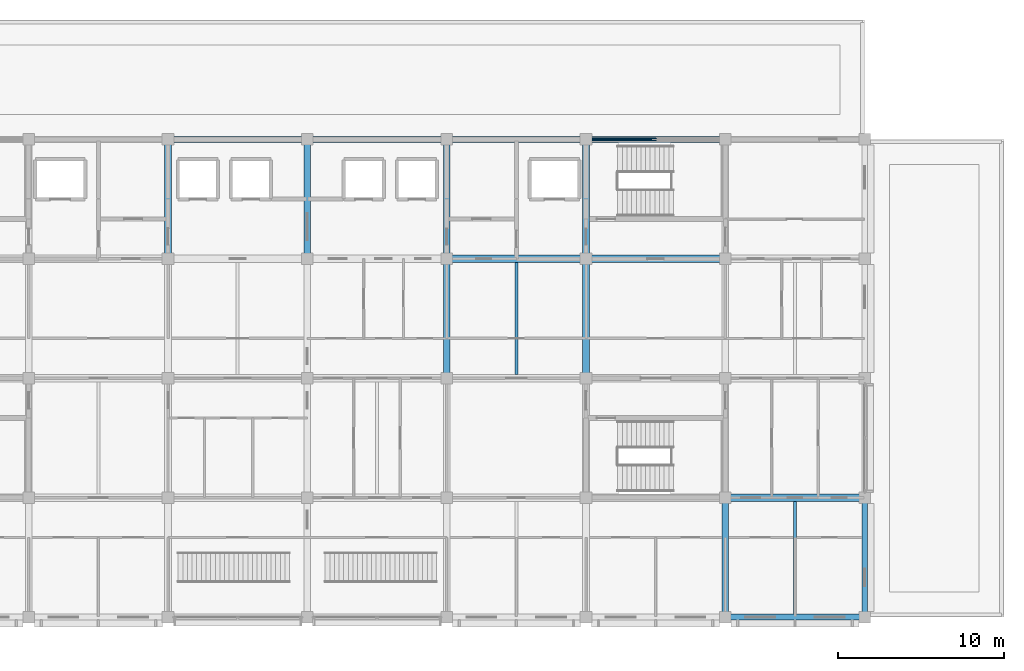
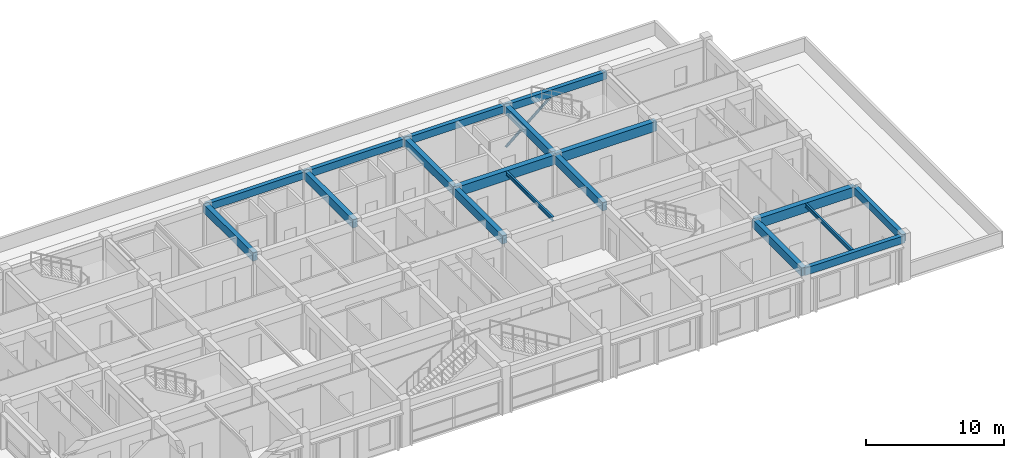
# One storey, part 4 of 19: 18 beams, 1 member.
"""IFC4 building model written with IfcOpenShell, lengths in metres."""

from ifc_helpers import new_model, si_unit, direction, frame, origin, origin_2d, place, context, subcontext, project, spatial, rectangle, hollow_circle, i_section, extrude, material, material_profile, profile_set, type_object, element, save


model = new_model("IFC4")

# Units and contexts
model_context = context("Model", 3, precision=1e-05, world=origin(), true_north=direction((0.0, 1.0)))
body_context = subcontext(model_context, "Body", "Model", "MODEL_VIEW")
ifc_project = project(units=[si_unit("LENGTHUNIT", "METRE"), si_unit("AREAUNIT", "SQUARE_METRE"), si_unit("VOLUMEUNIT", "CUBIC_METRE"), si_unit("PLANEANGLEUNIT", "RADIAN"), si_unit("MASSUNIT", "GRAM", prefix="KILO")], contexts=[model_context])

# Site, building, storey
site_placement = place(None, origin())
site = spatial("IfcSite", under=ifc_project, at=site_placement, CompositionType="ELEMENT")
building_placement = place(site_placement, origin())
building = spatial("IfcBuilding", under=site, at=building_placement, Name="Chengyuan Square Courthouse", CompositionType="ELEMENT")
storey_placement = place(building_placement, frame((0.0, 0.0, 47.699951171875)))
storey = spatial("IfcBuildingStorey", under=building, at=storey_placement, Name="L11", CompositionType="ELEMENT", Elevation=47.699951171875)

# Beams
ifc_material_1 = material(Name="Concrete C40", Category="concrete")
ifc_material_profile_1 = material_profile(ifc_material_1, rectangle(XDim=0.449951171875, YDim=0.85009765625, at=origin_2d()), Name="RC-BM-450x850")
ifc_profile_set_1 = profile_set([ifc_material_profile_1], Name="Concrete C40")
beam_type_1 = type_object("IfcBeamType", Name="BM-01", PredefinedType="USERDEFINED", material=ifc_profile_set_1)
for number, where, z_axis, x_axis, name in (
    (1, (109.199951171875, 86.39990234375, 3.53515625), (1.0, 0.0, 0.0), (0.0, 1.0, 0.0), "Girder BM-L11-4173"),
    (2, (92.39990234375, 100.800048828125, 3.53515625), (1.0, 0.0, 0.0), (0.0, 1.0, 0.0), "Girder BM-L11-4187"),
):
    element("IfcBeam", number, at=place(storey_placement, frame(where, z_axis=z_axis, x_axis=x_axis)), inside=storey, type_object=beam_type_1, Name=name, ObjectType="GIRDER", PredefinedType="USERDEFINED", context=body_context, shape_type="SweptSolid", body=[
        extrude(rectangle(XDim=0.449951171875, YDim=0.85009765625, at=origin_2d()), origin(), (0.0, 0.0, 1.0), 8.400146484375),
    ])
beam_1_placement = place(storey_placement, frame((100.800048828125, 100.800048828125, 3.53515625), z_axis=(1.0, 0.0, 0.0), x_axis=(0.0, 1.0, 0.0)))
element("IfcBeam", 3, at=beam_1_placement, inside=storey, type_object=beam_type_1, Name="Girder BM-L11-4188", ObjectType="GIRDER", PredefinedType="USERDEFINED", context=body_context, shape_type="SweptSolid", body=[
    extrude(rectangle(XDim=0.449951171875, YDim=0.85009765625, at=origin_2d()), origin(), (0.0, 0.0, 1.0), 8.39990234375),
])
ifc_material_profile_2 = material_profile(ifc_material_1, rectangle(XDim=0.39990234375, YDim=0.75, at=origin_2d()), Name="RC-BM-400x750")
ifc_profile_set_2 = profile_set([ifc_material_profile_2], Name="Concrete C40")
beam_type_2 = type_object("IfcBeamType", Name="BM-02", PredefinedType="USERDEFINED", material=ifc_profile_set_2)
for number, where, z_axis, x_axis, name in (
    (4, (75.60009765625, 100.800048828125, 3.5849609375), (0.0, 1.0, 0.0), (-1.0, 0.0, 0.0), "Girder BM-L11-4213"),
    (5, (84.0, 100.800048828125, 3.5849609375), (0.0, 1.0, 0.0), (-1.0, 0.0, 0.0), "Girder BM-L11-4217"),
    (6, (92.39990234375, 93.60009765625, 3.5849609375), (0.0, 1.0, 0.0), (-1.0, 0.0, 0.0), "Girder BM-L11-4220"),
    (7, (92.39990234375, 100.800048828125, 3.5849609375), (0.0, 1.0, 0.0), (-1.0, 0.0, 0.0), "Girder BM-L11-4221"),
    (8, (100.800048828125, 93.60009765625, 3.5849609375), (0.0, 1.0, 0.0), (-1.0, 0.0, 0.0), "Girder BM-L11-4224"),
    (9, (100.800048828125, 100.800048828125, 3.5849609375), (0.0, 1.0, 0.0), (-1.0, 0.0, 0.0), "Girder BM-L11-4225"),
    (10, (109.199951171875, 79.199951171875, 3.5849609375), (0.0, 1.0, 0.0), (-1.0, 0.0, 0.0), "Girder BM-L11-4226"),
):
    element("IfcBeam", number, at=place(storey_placement, frame(where, z_axis=z_axis, x_axis=x_axis)), inside=storey, type_object=beam_type_2, Name=name, ObjectType="GIRDER", PredefinedType="USERDEFINED", context=body_context, shape_type="SweptSolid", body=[
        extrude(rectangle(XDim=0.39990234375, YDim=0.75, at=origin_2d()), origin(), (0.0, 0.0, 1.0), 7.199951171875),
    ])
ifc_material_profile_3 = material_profile(ifc_material_1, rectangle(XDim=0.35009765625, YDim=0.64990234375, at=origin_2d()), Name="RC-BM-350x650")
ifc_profile_set_3 = profile_set([ifc_material_profile_3], Name="Concrete C40")
beam_type_3 = type_object("IfcBeamType", Name="BM-03", PredefinedType="SPANDREL", material=ifc_profile_set_3)
beam_2_placement = place(storey_placement, frame((109.199951171875, 79.199951171875, 3.635009765625), z_axis=(1.0, 0.0, 0.0), x_axis=(0.0, 1.0, 0.0)))
element("IfcBeam", 11, at=beam_2_placement, inside=storey, type_object=beam_type_3, Name="Girder BM-L11-4165", PredefinedType="SPANDREL", context=body_context, shape_type="SweptSolid", body=[
    extrude(rectangle(XDim=0.35009765625, YDim=0.64990234375, at=origin_2d()), origin(), (0.0, 0.0, 1.0), 8.400146484375),
])
for number, where, z_axis, x_axis, name in (
    (12, (75.60009765625, 108.0, 3.635009765625), (1.0, 0.0, 0.0), (0.0, 1.0, 0.0), "Girder BM-L11-4193"),
    (13, (84.0, 108.0, 3.635009765625), (1.0, 0.0, 0.0), (0.0, 1.0, 0.0), "Girder BM-L11-4194"),
):
    element("IfcBeam", number, at=place(storey_placement, frame(where, z_axis=z_axis, x_axis=x_axis)), inside=storey, type_object=beam_type_3, Name=name, PredefinedType="SPANDREL", context=body_context, shape_type="SweptSolid", body=[
        extrude(rectangle(XDim=0.35009765625, YDim=0.64990234375, at=origin_2d()), origin(), (0.0, 0.0, 1.0), 8.39990234375),
    ])
beam_3_placement = place(storey_placement, frame((92.39990234375, 108.0, 3.635009765625), z_axis=(1.0, 0.0, 0.0), x_axis=(0.0, 1.0, 0.0)))
element("IfcBeam", 14, at=beam_3_placement, inside=storey, type_object=beam_type_3, Name="Girder BM-L11-4195", PredefinedType="SPANDREL", context=body_context, shape_type="SweptSolid", body=[
    extrude(rectangle(XDim=0.35009765625, YDim=0.64990234375, at=origin_2d()), origin(), (0.0, 0.0, 1.0), 8.400146484375),
])
beam_4_placement = place(storey_placement, frame((100.800048828125, 108.0, 3.635009765625), z_axis=(1.0, 0.0, 0.0), x_axis=(0.0, 1.0, 0.0)))
element("IfcBeam", 15, at=beam_4_placement, inside=storey, type_object=beam_type_3, Name="Girder BM-L11-4196", PredefinedType="SPANDREL", context=body_context, shape_type="SweptSolid", body=[
    extrude(rectangle(XDim=0.35009765625, YDim=0.64990234375, at=origin_2d()), origin(), (0.0, 0.0, 1.0), 8.39990234375),
])
beam_5_placement = place(storey_placement, frame((117.60009765625, 79.199951171875, 3.635009765625), z_axis=(0.0, 1.0, 0.0), x_axis=(-1.0, 0.0, 0.0)))
element("IfcBeam", 16, at=beam_5_placement, inside=storey, type_object=beam_type_3, Name="Girder BM-L11-4230", PredefinedType="SPANDREL", context=body_context, shape_type="SweptSolid", body=[
    extrude(rectangle(XDim=0.35009765625, YDim=0.64990234375, at=origin_2d()), origin(), (0.0, 0.0, 1.0), 7.199951171875),
])
ifc_material_2 = material(Name="Steel Q355B", Category="steel")
ifc_material_profile_4 = material_profile(ifc_material_2, i_section(OverallWidth=0.175048828125, OverallDepth=0.35009765625, WebThickness=0.007080078125, FlangeThickness=0.010986328125, at=origin_2d()), Name="HN 350x175x7x11")
ifc_profile_set_4 = profile_set([ifc_material_profile_4], Name="Steel Q355B")
beam_type_4 = type_object("IfcBeamType", Name="BM-08", PredefinedType="BEAM", material=ifc_profile_set_4)
beam_6_placement = place(storey_placement, frame((96.60009765625, 93.824951171875, 3.78515625), z_axis=(0.0, 1.0, 0.0), x_axis=(-1.0, 0.0, 0.0)))
element("IfcBeam", 17, at=beam_6_placement, inside=storey, type_object=beam_type_4, Name="Secondary Floor Beam SBM-L11-4243", PredefinedType="BEAM", context=body_context, shape_type="SweptSolid", body=[
    extrude(i_section(OverallWidth=0.175048828125, OverallDepth=0.35009765625, WebThickness=0.007080078125, FlangeThickness=0.010986328125, at=origin_2d()), origin(), (0.0, 0.0, 1.0), 6.75),
])
beam_7_placement = place(storey_placement, frame((113.39990234375, 79.375, 3.78515625), z_axis=(0.0, 1.0, 0.0), x_axis=(-1.0, 0.0, 0.0)))
element("IfcBeam", 18, at=beam_7_placement, inside=storey, type_object=beam_type_4, Name="Secondary Floor Beam SBM-L11-4244", PredefinedType="BEAM", context=body_context, shape_type="SweptSolid", body=[
    extrude(i_section(OverallWidth=0.175048828125, OverallDepth=0.35009765625, WebThickness=0.007080078125, FlangeThickness=0.010986328125, at=origin_2d()), origin(), (0.0, 0.0, 1.0), 6.800048828125),
])

# Member
ifc_material_profile_5 = material_profile(ifc_material_2, hollow_circle(Radius=0.109619140625, WallThickness=0.008056640625, at=origin_2d()), Name="CHS 219x8")
ifc_profile_set_5 = profile_set([ifc_material_profile_5], Name="Steel Q355B")
member_type = type_object("IfcMemberType", Name="BR-02", PredefinedType="BRACE", material=ifc_profile_set_5)
member_placement = place(storey_placement, frame((100.800048828125, 108.0, 0.10009765625), z_axis=(0.767317473151, 0.0, 0.641267413329), x_axis=(0.0, 1.0, 0.0)))
element("IfcMember", 19, at=member_placement, inside=storey, type_object=member_type, Name="Steel Chevron Brace BR-L11-043", PredefinedType="BRACE", context=body_context, shape_type="SweptSolid", body=[
    extrude(hollow_circle(Radius=0.109619140625, WallThickness=0.008056640625, at=origin_2d()), origin(), (0.0, 0.0, 1.0), 5.4736328125),
])

save(model, "model.ifc")
